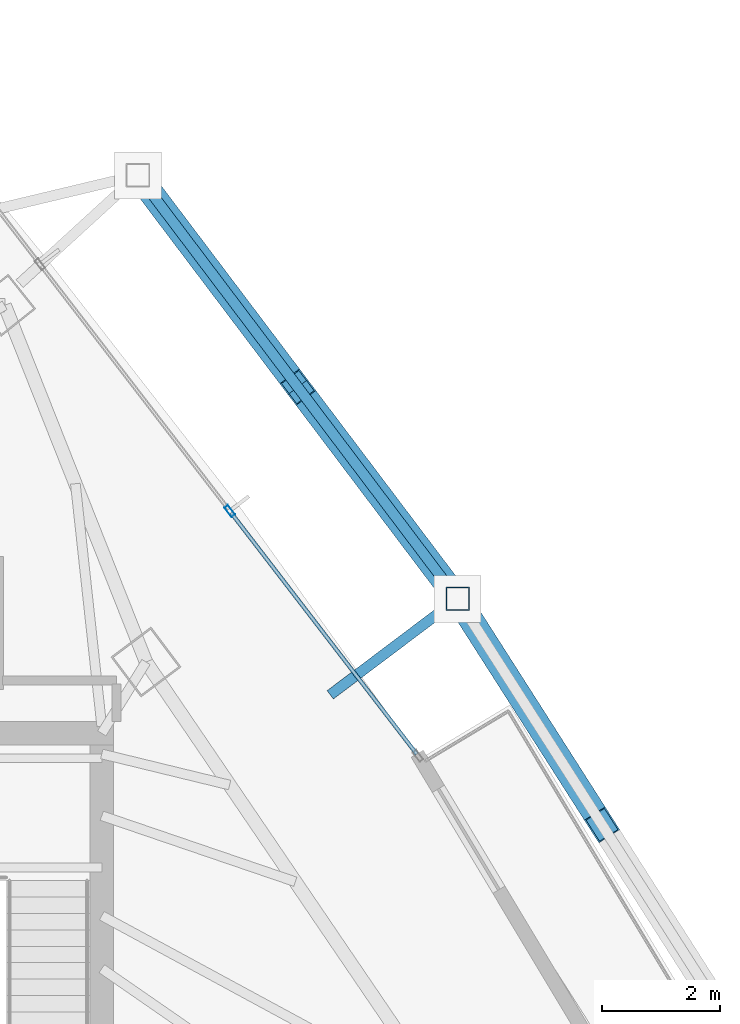
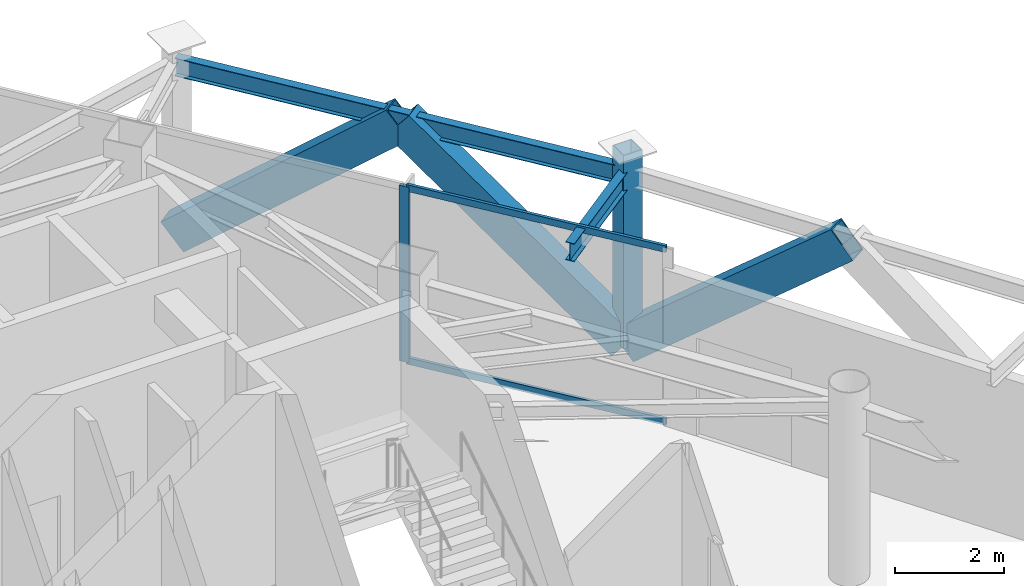
# One storey, part 21 of 27: 7 members, 2 beams, 1 element without a shape of its own.
"""IFC4 building model written with IfcOpenShell, lengths in metres."""

from ifc_helpers import new_model, si_unit, direction, frame, origin, origin_2d, place, context, subcontext, project, spatial, hollow_rectangle, i_section, extrude, material, layer, layer_set, material_profile, profile_set, type_object, element, aggregate, save


model = new_model("IFC4")

# Units and contexts
model_context = context("Model", 3, precision=1e-05, world=origin(), true_north=direction((0.0, 1.0)))
body_context = subcontext(model_context, "Body", "Model", "MODEL_VIEW")
ifc_project = project(units=[si_unit("LENGTHUNIT", "METRE"), si_unit("AREAUNIT", "SQUARE_METRE"), si_unit("VOLUMEUNIT", "CUBIC_METRE"), si_unit("PLANEANGLEUNIT", "RADIAN"), si_unit("MASSUNIT", "GRAM", prefix="KILO")], contexts=[model_context])

# Site, building, storey
site_placement = place(None, origin())
site = spatial("IfcSite", under=ifc_project, at=site_placement, CompositionType="ELEMENT")
building_placement = place(site_placement, origin())
building = spatial("IfcBuilding", under=site, at=building_placement, Name="Orvanel Arch Residences", CompositionType="ELEMENT")
storey_placement = place(building_placement, frame((0.0, 0.0, 186.949951171875)))
storey = spatial("IfcBuildingStorey", under=building, at=storey_placement, Name="L53", CompositionType="ELEMENT", Elevation=186.949951171875)

# Members
ifc_material_1 = material(Name="Structural steel AS/NZS 3678 Grade 350", Category="steel")
ifc_material_profile_1 = material_profile(ifc_material_1, hollow_rectangle(XDim=0.419921875, YDim=0.719970703125, WallThickness=0.02490234375, at=origin_2d()), Name="RHS720x420x25")
ifc_profile_set_1 = profile_set([ifc_material_profile_1], Name="Structural steel AS/NZS 3678 Grade 350")
member_type_1 = type_object("IfcMemberType", Name="BR-720RHS-EXT", PredefinedType="BRACE", material=ifc_profile_set_1)
member_1_placement = place(storey_placement, frame((45.65087890625, 36.18701171875, 0.0), z_axis=(0.415818430044, -0.651153791018, 0.634896663779), x_axis=(0.842811628095, 0.538208658002, 0.0)))
element("IfcMember", 1, at=member_1_placement, inside=storey, type_object=member_type_1, Name="L53 Exterior Sky-Garden V-Frame Chevron F3B2.2", PredefinedType="BRACE", context=body_context, shape_type="SweptSolid", body=[
    extrude(hollow_rectangle(XDim=0.419921875, YDim=0.719970703125, WallThickness=0.02490234375, at=origin_2d()), origin(), (0.0, 0.0, 1.0), 5.90185546875),
])
for number, where, z_axis, x_axis, name in (
    (2, (45.65087890625, 36.18701171875, 0.0), (-0.463460524685, 0.613922825818, 0.638985998281), (-0.798112542888, -0.602508397357, 0.0), "L53 Exterior Sky-Garden V-Frame Chevron F3B3.1"),
    (3, (40.215087890625, 43.386962890625, 0.0), (0.463505060567, -0.613885037102, 0.638989999962), (0.798066865629, 0.602568898952, 0.0), "L53 Exterior Sky-Garden V-Frame Chevron F3B3.2"),
):
    element("IfcMember", number, at=place(storey_placement, frame(where, z_axis=z_axis, x_axis=x_axis)), inside=storey, type_object=member_type_1, Name=name, PredefinedType="BRACE", context=body_context, shape_type="SweptSolid", body=[
        extrude(hollow_rectangle(XDim=0.419921875, YDim=0.719970703125, WallThickness=0.02490234375, at=origin_2d()), origin(), (0.0, 0.0, 1.0), 5.864013671875),
    ])

# Curtain wall, member
ifc_material_2 = material(Name="Bronze-anodised aluminium AA6063-T6", Category="aluminium")
ifc_layer = layer(ifc_material_2, 0.195068359375)
ifc_layer_set = layer_set([ifc_layer], Name="Bronze-anodised aluminium AA6063-T6")
curtain_wall_type = type_object("IfcCurtainWallType", Name="CW6-COM-SYS", PredefinedType="NOTDEFINED", material=ifc_layer_set)
curtain_wall_placement = place(storey_placement, origin())
curtain_wall = element("IfcCurtainWall", 4, at=curtain_wall_placement, inside=storey, type_object=curtain_wall_type, Name="L53 CW6-COM-SYS Unitised Curtain Wall", PredefinedType="NOTDEFINED")
ifc_material_profile_2 = material_profile(ifc_material_2, hollow_rectangle(XDim=0.074951171875, YDim=0.199951171875, WallThickness=0.0048828125, at=origin_2d()), Name="ALU200x75x5")
ifc_profile_set_2 = profile_set([ifc_material_profile_2], Name="Bronze-anodised aluminium AA6063-T6")
member_type_2 = type_object("IfcMemberType", Name="MUL-200x75", PredefinedType="MULLION", material=ifc_profile_set_2)
member_2_placement = place(storey_placement, frame((41.775634765625, 37.6806640625, 0.0), z_axis=(0.0, 0.0, 1.0), x_axis=(-0.79258417423, -0.60976251669, 0.0)))
member_2 = element("IfcMember", 5, at=member_2_placement, type_object=member_type_2, Name="CW-S6 mullion 2", PredefinedType="MULLION", context=body_context, shape_type="SweptSolid", body=[
    extrude(hollow_rectangle(XDim=0.074951171875, YDim=0.199951171875, WallThickness=0.0048828125, at=origin_2d()), origin(), (0.0, 0.0, 1.0), 3.949951171875),
])

# Beams
ifc_material_3 = material(Name="Structural steel AS/NZS 3679.1 Grade 300 (300 MPa)", Category="steel")
ifc_material_profile_3 = material_profile(ifc_material_3, i_section(OverallWidth=0.177978515625, OverallDepth=0.406005859375, WebThickness=0.0078125, FlangeThickness=0.0126953125, at=origin_2d()), Name="410UB59.7")
ifc_profile_set_3 = profile_set([ifc_material_profile_3], Name="Structural steel AS/NZS 3679.1 Grade 300 (300 MPa)")
beam_type = type_object("IfcBeamType", Name="OB-410UB-EXT", PredefinedType="SPANDREL", material=ifc_profile_set_3)
beam_1_placement = place(storey_placement, frame((43.48388671875, 34.554931640625, 3.7470703125), z_axis=(0.798788851952, 0.601611477614, 0.0), x_axis=(-0.601611477614, 0.798788851952, 0.0)))
element("IfcBeam", 6, at=beam_1_placement, inside=storey, type_object=beam_type, Name="L53 Outer Frame Radial Tie Beam 11", PredefinedType="SPANDREL", context=body_context, shape_type="SweptSolid", body=[
    extrude(i_section(OverallWidth=0.177978515625, OverallDepth=0.406005859375, WebThickness=0.0078125, FlangeThickness=0.0126953125, at=origin_2d()), origin(), (0.0, 0.0, 1.0), 2.712890625),
])
beam_2_placement = place(storey_placement, frame((45.65087890625, 36.18701171875, 3.7470703125), z_axis=(-0.602538648427, 0.798089704953, 0.0), x_axis=(-0.798089704953, -0.602538648427, 0.0)))
element("IfcBeam", 7, at=beam_2_placement, inside=storey, type_object=beam_type, Name="L53 Outer Perimeter Floor Ring Beam 11", PredefinedType="SPANDREL", context=body_context, shape_type="SweptSolid", body=[
    extrude(i_section(OverallWidth=0.177978515625, OverallDepth=0.406005859375, WebThickness=0.0078125, FlangeThickness=0.0126953125, at=origin_2d()), origin(), (0.0, 0.0, 1.0), 9.021484375),
])

# Member
ifc_material_4 = material(Name="Structural steel AS/NZS 1163 C450L0 (Grade 450)", Category="steel")
ifc_material_profile_4 = material_profile(ifc_material_4, hollow_rectangle(XDim=0.39990234375, YDim=0.39990234375, WallThickness=0.01611328125, at=origin_2d()), Name="SHS400x400x16")
ifc_profile_set_4 = profile_set([ifc_material_profile_4], Name="Structural steel AS/NZS 1163 C450L0 (Grade 450)")
member_type_3 = type_object("IfcMemberType", Name="ST-400SHS-EXT", PredefinedType="STRUT", material=ifc_profile_set_4)
member_3_placement = place(storey_placement, frame((45.65087890625, 36.18701171875, 0.0), z_axis=(0.0, 0.0, 1.0), x_axis=(1.0, 0.0, 0.0)))
element("IfcMember", 8, at=member_3_placement, inside=storey, type_object=member_type_3, Name="L53 Outer Perimeter Frame Post 11", PredefinedType="STRUT", context=body_context, shape_type="SweptSolid", body=[
    extrude(hollow_rectangle(XDim=0.39990234375, YDim=0.39990234375, WallThickness=0.01611328125, at=origin_2d()), origin(), (0.0, 0.0, 1.0), 4.35009765625),
])

ifc_material_profile_5 = material_profile(ifc_material_2, hollow_rectangle(XDim=0.06494140625, YDim=0.14990234375, WallThickness=0.00390625, at=origin_2d()), Name="ALU150x65x4")
ifc_profile_set_5 = profile_set([ifc_material_profile_5], Name="Bronze-anodised aluminium AA6063-T6")
member_type_4 = type_object("IfcMemberType", Name="TRN-150x65", PredefinedType="USERDEFINED", material=ifc_profile_set_5)
member_4_placement = place(storey_placement, frame((44.956298828125, 33.54638671875, 0.032470703125), z_axis=(-0.609760883023, 0.792585431064, 0.0), x_axis=(-0.792585431064, -0.609760883023, 0.0)))
member_4 = element("IfcMember", 9, at=member_4_placement, type_object=member_type_4, Name="CW-S6 transom 1.1", ObjectType="TRANSOM", PredefinedType="USERDEFINED", context=body_context, shape_type="SweptSolid", body=[
    extrude(hollow_rectangle(XDim=0.06494140625, YDim=0.14990234375, WallThickness=0.00390625, at=origin_2d()), origin(), (0.0, 0.0, 1.0), 5.1787109375),
])

member_5_placement = place(storey_placement, frame((44.956298828125, 33.54638671875, 3.91748046875), z_axis=(-0.609760883023, 0.792585431064, 0.0), x_axis=(-0.792585431064, -0.609760883023, 0.0)))
member_5 = element("IfcMember", 10, at=member_5_placement, type_object=member_type_4, Name="CW-S6 transom 1.2", ObjectType="TRANSOM", PredefinedType="USERDEFINED", context=body_context, shape_type="SweptSolid", body=[
    extrude(hollow_rectangle(XDim=0.06494140625, YDim=0.14990234375, WallThickness=0.00390625, at=origin_2d()), origin(), (0.0, 0.0, 1.0), 5.1787109375),
])

aggregate(curtain_wall, [member_2, member_4, member_5])

save(model, "model.ifc")
